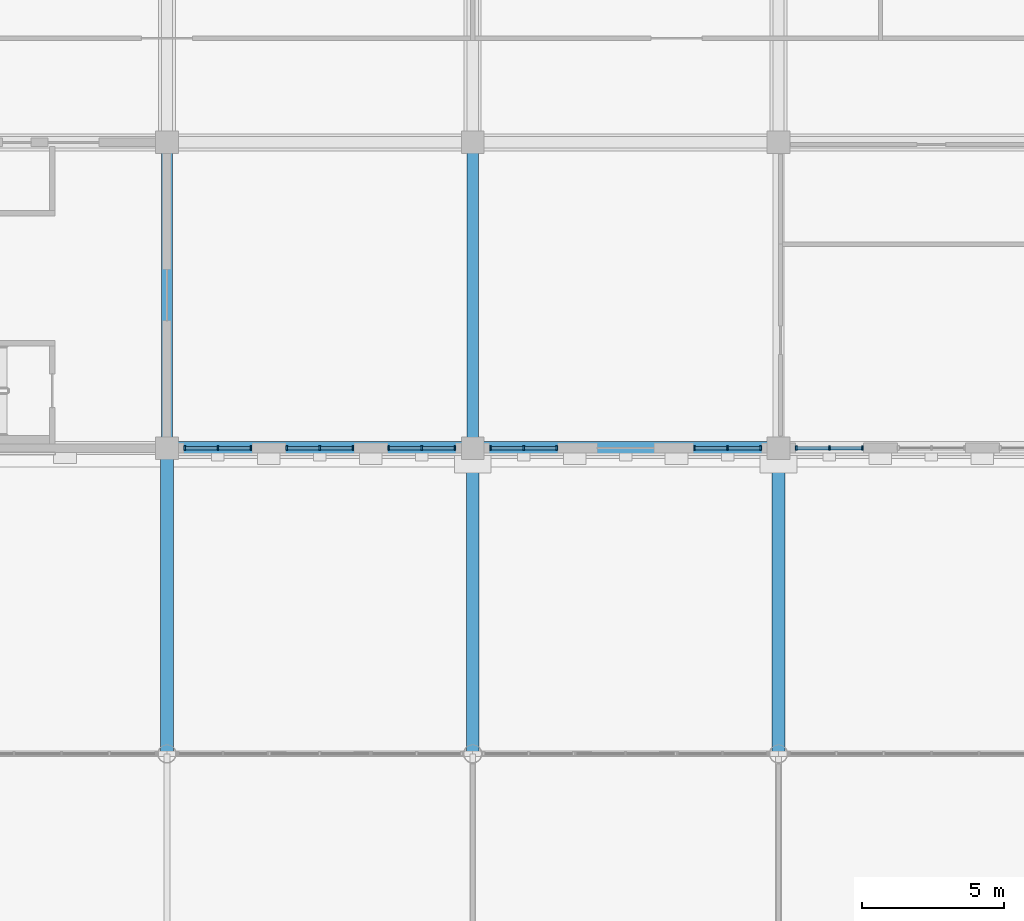
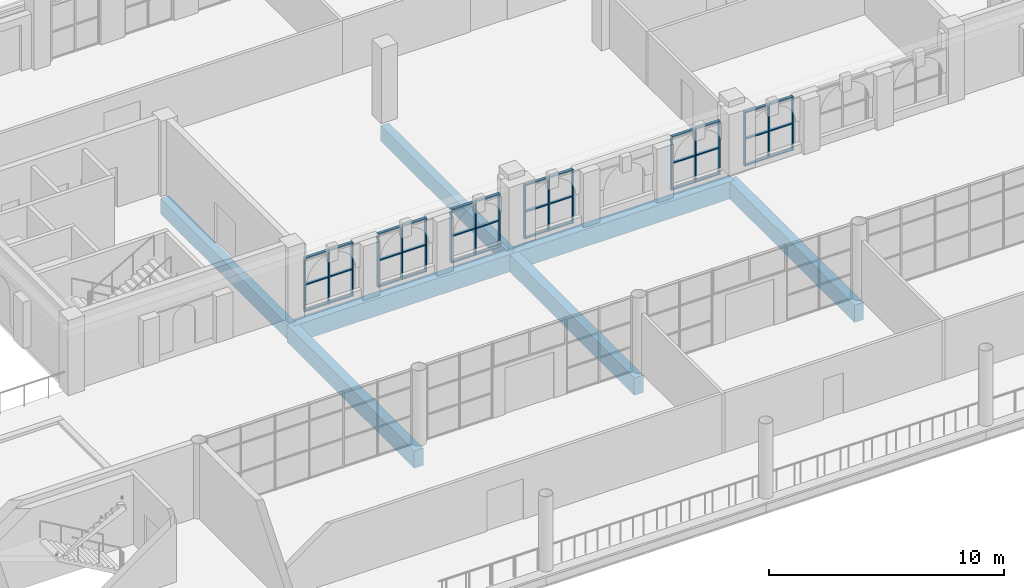
# One storey, part 27 of 95: 54 members, 7 beams, 6 elements without a shape of their own.
"""IFC4 building model written with IfcOpenShell, lengths in metres."""

from ifc_helpers import new_model, si_unit, direction, frame, origin, origin_2d, place, context, subcontext, project, spatial, rectangle, extrude, material, layer, layer_set, material_profile, profile_set, type_object, element, aggregate, save


model = new_model("IFC4")

# Units and contexts
model_context = context("Model", 3, precision=1e-05, world=origin(), true_north=direction((0.0, 1.0)))
body_context = subcontext(model_context, "Body", "Model", "MODEL_VIEW")
ifc_project = project(units=[si_unit("LENGTHUNIT", "METRE"), si_unit("AREAUNIT", "SQUARE_METRE"), si_unit("VOLUMEUNIT", "CUBIC_METRE"), si_unit("PLANEANGLEUNIT", "RADIAN"), si_unit("MASSUNIT", "GRAM", prefix="KILO")], contexts=[model_context])

# Site, building, storey
site_placement = place(None, origin())
site = spatial("IfcSite", under=ifc_project, at=site_placement, CompositionType="ELEMENT")
building_placement = place(site_placement, origin())
building = spatial("IfcBuilding", under=site, at=building_placement, Name="Magnolia Steps Interchange", CompositionType="ELEMENT")
storey_placement = place(building_placement, frame((0.0, 0.0, 4.800048828125)))
storey = spatial("IfcBuildingStorey", under=building, at=storey_placement, Name="L01", CompositionType="ELEMENT", Elevation=4.800048828125)

# Curtain wall, members
ifc_material_1 = material(Name="Powder-coated aluminium and glass", Category="aluminium")
ifc_layer = layer(ifc_material_1, 0.179931640625)
ifc_layer_set = layer_set([ifc_layer], Name="Lobby shopfront curtain wall")
curtain_wall_type = type_object("IfcCurtainWallType", Name="Lobby shopfront curtain wall", PredefinedType="NOTDEFINED", material=ifc_layer_set)
curtain_wall_1_placement = place(storey_placement, origin())
curtain_wall_1 = element("IfcCurtainWall", 1, at=curtain_wall_1_placement, inside=storey, type_object=curtain_wall_type, Name="Operations lobby south glazing 2", PredefinedType="NOTDEFINED")
ifc_material_2 = material(Name="White powder-coated aluminium", Category="aluminium")
ifc_material_profile_1 = material_profile(ifc_material_2, rectangle(XDim=0.06005859375, YDim=0.14990234375, at=origin_2d()), Name="Aluminium mullion 60 x 150")
ifc_profile_set_1 = profile_set([ifc_material_profile_1], Name="White powder-coated aluminium")
member_type_1 = type_object("IfcMemberType", Name="Aluminium mullion 60 x 150", PredefinedType="MULLION", material=ifc_profile_set_1)
member_1_placement = place(storey_placement, frame((75.429931640625, 96.39990234375, 0.0), z_axis=(0.0, 0.0, 1.0), x_axis=(1.0, 0.0, 0.0)))
member_1 = element("IfcMember", 2, at=member_1_placement, type_object=member_type_1, Name="CW5 mullion 1", PredefinedType="MULLION", context=body_context, shape_type="SweptSolid", body=[
    extrude(rectangle(XDim=0.06005859375, YDim=0.14990234375, at=origin_2d()), origin(), (0.0, 0.0, 1.0), 2.800048828125),
])
member_2_placement = place(storey_placement, frame((76.60009765625, 96.39990234375, 0.0), z_axis=(0.0, 0.0, 1.0), x_axis=(1.0, 0.0, 0.0)))
member_2 = element("IfcMember", 3, at=member_2_placement, type_object=member_type_1, Name="CW5 mullion 2", PredefinedType="MULLION", context=body_context, shape_type="SweptSolid", body=[
    extrude(rectangle(XDim=0.06005859375, YDim=0.14990234375, at=origin_2d()), origin(), (0.0, 0.0, 1.0), 2.800048828125),
])
member_3_placement = place(storey_placement, frame((77.77001953125, 96.39990234375, 0.0), z_axis=(0.0, 0.0, 1.0), x_axis=(1.0, 0.0, 0.0)))
member_3 = element("IfcMember", 4, at=member_3_placement, type_object=member_type_1, Name="CW5 mullion 3", PredefinedType="MULLION", context=body_context, shape_type="SweptSolid", body=[
    extrude(rectangle(XDim=0.06005859375, YDim=0.14990234375, at=origin_2d()), origin(), (0.0, 0.0, 1.0), 2.800048828125),
])

curtain_wall_2_placement = place(storey_placement, origin())
curtain_wall_2 = element("IfcCurtainWall", 5, at=curtain_wall_2_placement, inside=storey, type_object=curtain_wall_type, Name="Operations lobby south glazing 4", PredefinedType="NOTDEFINED")
member_4_placement = place(storey_placement, frame((79.030029296875, 96.39990234375, 0.0), z_axis=(0.0, 0.0, 1.0), x_axis=(1.0, 0.0, 0.0)))
member_4 = element("IfcMember", 6, at=member_4_placement, type_object=member_type_1, Name="CW5 mullion 1", PredefinedType="MULLION", context=body_context, shape_type="SweptSolid", body=[
    extrude(rectangle(XDim=0.06005859375, YDim=0.14990234375, at=origin_2d()), origin(), (0.0, 0.0, 1.0), 2.800048828125),
])
member_5_placement = place(storey_placement, frame((80.199951171875, 96.39990234375, 0.0), z_axis=(0.0, 0.0, 1.0), x_axis=(1.0, 0.0, 0.0)))
member_5 = element("IfcMember", 7, at=member_5_placement, type_object=member_type_1, Name="CW5 mullion 2", PredefinedType="MULLION", context=body_context, shape_type="SweptSolid", body=[
    extrude(rectangle(XDim=0.06005859375, YDim=0.14990234375, at=origin_2d()), origin(), (0.0, 0.0, 1.0), 2.800048828125),
])
member_6_placement = place(storey_placement, frame((81.3701171875, 96.39990234375, 0.0), z_axis=(0.0, 0.0, 1.0), x_axis=(1.0, 0.0, 0.0)))
member_6 = element("IfcMember", 8, at=member_6_placement, type_object=member_type_1, Name="CW5 mullion 3", PredefinedType="MULLION", context=body_context, shape_type="SweptSolid", body=[
    extrude(rectangle(XDim=0.06005859375, YDim=0.14990234375, at=origin_2d()), origin(), (0.0, 0.0, 1.0), 2.800048828125),
])

curtain_wall_3_placement = place(storey_placement, origin())
curtain_wall_3 = element("IfcCurtainWall", 9, at=curtain_wall_3_placement, inside=storey, type_object=curtain_wall_type, Name="Operations lobby south glazing 6", PredefinedType="NOTDEFINED")
member_7_placement = place(storey_placement, frame((82.6298828125, 96.39990234375, 0.0), z_axis=(0.0, 0.0, 1.0), x_axis=(1.0, 0.0, 0.0)))
member_7 = element("IfcMember", 10, at=member_7_placement, type_object=member_type_1, Name="CW5 mullion 1", PredefinedType="MULLION", context=body_context, shape_type="SweptSolid", body=[
    extrude(rectangle(XDim=0.06005859375, YDim=0.14990234375, at=origin_2d()), origin(), (0.0, 0.0, 1.0), 2.800048828125),
])
member_8_placement = place(storey_placement, frame((83.800048828125, 96.39990234375, 0.0), z_axis=(0.0, 0.0, 1.0), x_axis=(1.0, 0.0, 0.0)))
member_8 = element("IfcMember", 11, at=member_8_placement, type_object=member_type_1, Name="CW5 mullion 2", PredefinedType="MULLION", context=body_context, shape_type="SweptSolid", body=[
    extrude(rectangle(XDim=0.06005859375, YDim=0.14990234375, at=origin_2d()), origin(), (0.0, 0.0, 1.0), 2.800048828125),
])
member_9_placement = place(storey_placement, frame((84.969970703125, 96.39990234375, 0.0), z_axis=(0.0, 0.0, 1.0), x_axis=(1.0, 0.0, 0.0)))
member_9 = element("IfcMember", 12, at=member_9_placement, type_object=member_type_1, Name="CW5 mullion 3", PredefinedType="MULLION", context=body_context, shape_type="SweptSolid", body=[
    extrude(rectangle(XDim=0.06005859375, YDim=0.14990234375, at=origin_2d()), origin(), (0.0, 0.0, 1.0), 2.800048828125),
])

curtain_wall_4_placement = place(storey_placement, origin())
curtain_wall_4 = element("IfcCurtainWall", 13, at=curtain_wall_4_placement, inside=storey, type_object=curtain_wall_type, Name="Operations lobby south glazing 8", PredefinedType="NOTDEFINED")
member_10_placement = place(storey_placement, frame((86.22998046875, 96.39990234375, 0.0), z_axis=(0.0, 0.0, 1.0), x_axis=(1.0, 0.0, 0.0)))
member_10 = element("IfcMember", 14, at=member_10_placement, type_object=member_type_1, Name="CW5 mullion 1", PredefinedType="MULLION", context=body_context, shape_type="SweptSolid", body=[
    extrude(rectangle(XDim=0.06005859375, YDim=0.14990234375, at=origin_2d()), origin(), (0.0, 0.0, 1.0), 2.800048828125),
])
member_11_placement = place(storey_placement, frame((87.39990234375, 96.39990234375, 0.0), z_axis=(0.0, 0.0, 1.0), x_axis=(1.0, 0.0, 0.0)))
member_11 = element("IfcMember", 15, at=member_11_placement, type_object=member_type_1, Name="CW5 mullion 2", PredefinedType="MULLION", context=body_context, shape_type="SweptSolid", body=[
    extrude(rectangle(XDim=0.06005859375, YDim=0.14990234375, at=origin_2d()), origin(), (0.0, 0.0, 1.0), 2.800048828125),
])
member_12_placement = place(storey_placement, frame((88.570068359375, 96.39990234375, 0.0), z_axis=(0.0, 0.0, 1.0), x_axis=(1.0, 0.0, 0.0)))
member_12 = element("IfcMember", 16, at=member_12_placement, type_object=member_type_1, Name="CW5 mullion 3", PredefinedType="MULLION", context=body_context, shape_type="SweptSolid", body=[
    extrude(rectangle(XDim=0.06005859375, YDim=0.14990234375, at=origin_2d()), origin(), (0.0, 0.0, 1.0), 2.800048828125),
])

curtain_wall_5_placement = place(storey_placement, origin())
curtain_wall_5 = element("IfcCurtainWall", 17, at=curtain_wall_5_placement, inside=storey, type_object=curtain_wall_type, Name="Operations lobby south glazing 10", PredefinedType="NOTDEFINED")
member_13_placement = place(storey_placement, frame((93.429931640625, 96.39990234375, 0.0), z_axis=(0.0, 0.0, 1.0), x_axis=(1.0, 0.0, 0.0)))
member_13 = element("IfcMember", 18, at=member_13_placement, type_object=member_type_1, Name="CW5 mullion 1", PredefinedType="MULLION", context=body_context, shape_type="SweptSolid", body=[
    extrude(rectangle(XDim=0.06005859375, YDim=0.14990234375, at=origin_2d()), origin(), (0.0, 0.0, 1.0), 2.800048828125),
])
member_14_placement = place(storey_placement, frame((94.60009765625, 96.39990234375, 0.0), z_axis=(0.0, 0.0, 1.0), x_axis=(1.0, 0.0, 0.0)))
member_14 = element("IfcMember", 19, at=member_14_placement, type_object=member_type_1, Name="CW5 mullion 2", PredefinedType="MULLION", context=body_context, shape_type="SweptSolid", body=[
    extrude(rectangle(XDim=0.06005859375, YDim=0.14990234375, at=origin_2d()), origin(), (0.0, 0.0, 1.0), 2.800048828125),
])
member_15_placement = place(storey_placement, frame((95.77001953125, 96.39990234375, 0.0), z_axis=(0.0, 0.0, 1.0), x_axis=(1.0, 0.0, 0.0)))
member_15 = element("IfcMember", 20, at=member_15_placement, type_object=member_type_1, Name="CW5 mullion 3", PredefinedType="MULLION", context=body_context, shape_type="SweptSolid", body=[
    extrude(rectangle(XDim=0.06005859375, YDim=0.14990234375, at=origin_2d()), origin(), (0.0, 0.0, 1.0), 2.800048828125),
])

curtain_wall_6_placement = place(storey_placement, origin())
curtain_wall_6 = element("IfcCurtainWall", 21, at=curtain_wall_6_placement, inside=storey, type_object=curtain_wall_type, Name="Operations lobby south glazing 12", PredefinedType="NOTDEFINED")
member_16_placement = place(storey_placement, frame((97.030029296875, 96.39990234375, 0.0), z_axis=(0.0, 0.0, 1.0), x_axis=(1.0, 0.0, 0.0)))
member_16 = element("IfcMember", 22, at=member_16_placement, type_object=member_type_1, Name="CW5 mullion 1", PredefinedType="MULLION", context=body_context, shape_type="SweptSolid", body=[
    extrude(rectangle(XDim=0.06005859375, YDim=0.14990234375, at=origin_2d()), origin(), (0.0, 0.0, 1.0), 2.800048828125),
])
member_17_placement = place(storey_placement, frame((98.199951171875, 96.39990234375, 0.0), z_axis=(0.0, 0.0, 1.0), x_axis=(1.0, 0.0, 0.0)))
member_17 = element("IfcMember", 23, at=member_17_placement, type_object=member_type_1, Name="CW5 mullion 2", PredefinedType="MULLION", context=body_context, shape_type="SweptSolid", body=[
    extrude(rectangle(XDim=0.06005859375, YDim=0.14990234375, at=origin_2d()), origin(), (0.0, 0.0, 1.0), 2.800048828125),
])
member_18_placement = place(storey_placement, frame((99.3701171875, 96.39990234375, 0.0), z_axis=(0.0, 0.0, 1.0), x_axis=(1.0, 0.0, 0.0)))
member_18 = element("IfcMember", 24, at=member_18_placement, type_object=member_type_1, Name="CW5 mullion 3", PredefinedType="MULLION", context=body_context, shape_type="SweptSolid", body=[
    extrude(rectangle(XDim=0.06005859375, YDim=0.14990234375, at=origin_2d()), origin(), (0.0, 0.0, 1.0), 2.800048828125),
])

# Member
ifc_material_3 = material(Name="White powder-coated aluminium", Category="aluminium")
ifc_material_profile_2 = material_profile(ifc_material_3, rectangle(XDim=0.06005859375, YDim=0.1201171875, at=origin_2d()), Name="Aluminium transom 60 x 120")
ifc_profile_set_2 = profile_set([ifc_material_profile_2], Name="White powder-coated aluminium")
member_type_2 = type_object("IfcMemberType", Name="Aluminium transom 60 x 120", PredefinedType="USERDEFINED", material=ifc_profile_set_2)
member_19_placement = place(storey_placement, frame((75.4599609375, 96.39990234375, 0.030029296875), z_axis=(1.0, 0.0, 0.0), x_axis=(0.0, 0.0, 1.0)))
member_19 = element("IfcMember", 25, at=member_19_placement, type_object=member_type_2, Name="CW5 transom 1.1", ObjectType="TRANSOM", PredefinedType="USERDEFINED", context=body_context, shape_type="SweptSolid", body=[
    extrude(rectangle(XDim=0.06005859375, YDim=0.1201171875, at=origin_2d()), origin(), (0.0, 0.0, 1.0), 1.110107421875),
])

member_20_placement = place(storey_placement, frame((75.4599609375, 96.39990234375, 1.39990234375), z_axis=(1.0, 0.0, 0.0), x_axis=(0.0, 0.0, 1.0)))
member_20 = element("IfcMember", 26, at=member_20_placement, type_object=member_type_2, Name="CW5 transom 1.2", ObjectType="TRANSOM", PredefinedType="USERDEFINED", context=body_context, shape_type="SweptSolid", body=[
    extrude(rectangle(XDim=0.06005859375, YDim=0.1201171875, at=origin_2d()), origin(), (0.0, 0.0, 1.0), 1.110107421875),
])

member_21_placement = place(storey_placement, frame((75.4599609375, 96.39990234375, 2.77001953125), z_axis=(1.0, 0.0, 0.0), x_axis=(0.0, 0.0, 1.0)))
member_21 = element("IfcMember", 27, at=member_21_placement, type_object=member_type_2, Name="CW5 transom 1.3", ObjectType="TRANSOM", PredefinedType="USERDEFINED", context=body_context, shape_type="SweptSolid", body=[
    extrude(rectangle(XDim=0.06005859375, YDim=0.1201171875, at=origin_2d()), origin(), (0.0, 0.0, 1.0), 1.110107421875),
])

member_22_placement = place(storey_placement, frame((76.6298828125, 96.39990234375, 0.030029296875), z_axis=(1.0, 0.0, 0.0), x_axis=(0.0, 0.0, 1.0)))
member_22 = element("IfcMember", 28, at=member_22_placement, type_object=member_type_2, Name="CW5 transom 2.1", ObjectType="TRANSOM", PredefinedType="USERDEFINED", context=body_context, shape_type="SweptSolid", body=[
    extrude(rectangle(XDim=0.06005859375, YDim=0.1201171875, at=origin_2d()), origin(), (0.0, 0.0, 1.0), 1.110107421875),
])

member_23_placement = place(storey_placement, frame((76.6298828125, 96.39990234375, 1.39990234375), z_axis=(1.0, 0.0, 0.0), x_axis=(0.0, 0.0, 1.0)))
member_23 = element("IfcMember", 29, at=member_23_placement, type_object=member_type_2, Name="CW5 transom 2.2", ObjectType="TRANSOM", PredefinedType="USERDEFINED", context=body_context, shape_type="SweptSolid", body=[
    extrude(rectangle(XDim=0.06005859375, YDim=0.1201171875, at=origin_2d()), origin(), (0.0, 0.0, 1.0), 1.110107421875),
])

member_24_placement = place(storey_placement, frame((76.6298828125, 96.39990234375, 2.77001953125), z_axis=(1.0, 0.0, 0.0), x_axis=(0.0, 0.0, 1.0)))
member_24 = element("IfcMember", 30, at=member_24_placement, type_object=member_type_2, Name="CW5 transom 2.3", ObjectType="TRANSOM", PredefinedType="USERDEFINED", context=body_context, shape_type="SweptSolid", body=[
    extrude(rectangle(XDim=0.06005859375, YDim=0.1201171875, at=origin_2d()), origin(), (0.0, 0.0, 1.0), 1.110107421875),
])

aggregate(curtain_wall_1, [member_1, member_2, member_3, member_19, member_20, member_21, member_22, member_23, member_24])

member_25_placement = place(storey_placement, frame((79.06005859375, 96.39990234375, 0.030029296875), z_axis=(1.0, 0.0, 0.0), x_axis=(0.0, 0.0, 1.0)))
member_25 = element("IfcMember", 31, at=member_25_placement, type_object=member_type_2, Name="CW5 transom 1.1", ObjectType="TRANSOM", PredefinedType="USERDEFINED", context=body_context, shape_type="SweptSolid", body=[
    extrude(rectangle(XDim=0.06005859375, YDim=0.1201171875, at=origin_2d()), origin(), (0.0, 0.0, 1.0), 1.10986328125),
])

member_26_placement = place(storey_placement, frame((79.06005859375, 96.39990234375, 1.39990234375), z_axis=(1.0, 0.0, 0.0), x_axis=(0.0, 0.0, 1.0)))
member_26 = element("IfcMember", 32, at=member_26_placement, type_object=member_type_2, Name="CW5 transom 1.2", ObjectType="TRANSOM", PredefinedType="USERDEFINED", context=body_context, shape_type="SweptSolid", body=[
    extrude(rectangle(XDim=0.06005859375, YDim=0.1201171875, at=origin_2d()), origin(), (0.0, 0.0, 1.0), 1.10986328125),
])

member_27_placement = place(storey_placement, frame((79.06005859375, 96.39990234375, 2.77001953125), z_axis=(1.0, 0.0, 0.0), x_axis=(0.0, 0.0, 1.0)))
member_27 = element("IfcMember", 33, at=member_27_placement, type_object=member_type_2, Name="CW5 transom 1.3", ObjectType="TRANSOM", PredefinedType="USERDEFINED", context=body_context, shape_type="SweptSolid", body=[
    extrude(rectangle(XDim=0.06005859375, YDim=0.1201171875, at=origin_2d()), origin(), (0.0, 0.0, 1.0), 1.10986328125),
])

member_28_placement = place(storey_placement, frame((80.22998046875, 96.39990234375, 0.030029296875), z_axis=(1.0, 0.0, 0.0), x_axis=(0.0, 0.0, 1.0)))
member_28 = element("IfcMember", 34, at=member_28_placement, type_object=member_type_2, Name="CW5 transom 2.1", ObjectType="TRANSOM", PredefinedType="USERDEFINED", context=body_context, shape_type="SweptSolid", body=[
    extrude(rectangle(XDim=0.06005859375, YDim=0.1201171875, at=origin_2d()), origin(), (0.0, 0.0, 1.0), 1.110107421875),
])

member_29_placement = place(storey_placement, frame((80.22998046875, 96.39990234375, 1.39990234375), z_axis=(1.0, 0.0, 0.0), x_axis=(0.0, 0.0, 1.0)))
member_29 = element("IfcMember", 35, at=member_29_placement, type_object=member_type_2, Name="CW5 transom 2.2", ObjectType="TRANSOM", PredefinedType="USERDEFINED", context=body_context, shape_type="SweptSolid", body=[
    extrude(rectangle(XDim=0.06005859375, YDim=0.1201171875, at=origin_2d()), origin(), (0.0, 0.0, 1.0), 1.110107421875),
])

member_30_placement = place(storey_placement, frame((80.22998046875, 96.39990234375, 2.77001953125), z_axis=(1.0, 0.0, 0.0), x_axis=(0.0, 0.0, 1.0)))
member_30 = element("IfcMember", 36, at=member_30_placement, type_object=member_type_2, Name="CW5 transom 2.3", ObjectType="TRANSOM", PredefinedType="USERDEFINED", context=body_context, shape_type="SweptSolid", body=[
    extrude(rectangle(XDim=0.06005859375, YDim=0.1201171875, at=origin_2d()), origin(), (0.0, 0.0, 1.0), 1.110107421875),
])

aggregate(curtain_wall_2, [member_4, member_5, member_6, member_25, member_26, member_27, member_28, member_29, member_30])

member_31_placement = place(storey_placement, frame((82.659912109375, 96.39990234375, 0.030029296875), z_axis=(1.0, 0.0, 0.0), x_axis=(0.0, 0.0, 1.0)))
member_31 = element("IfcMember", 37, at=member_31_placement, type_object=member_type_2, Name="CW5 transom 1.1", ObjectType="TRANSOM", PredefinedType="USERDEFINED", context=body_context, shape_type="SweptSolid", body=[
    extrude(rectangle(XDim=0.06005859375, YDim=0.1201171875, at=origin_2d()), origin(), (0.0, 0.0, 1.0), 1.110107421875),
])

member_32_placement = place(storey_placement, frame((82.659912109375, 96.39990234375, 1.39990234375), z_axis=(1.0, 0.0, 0.0), x_axis=(0.0, 0.0, 1.0)))
member_32 = element("IfcMember", 38, at=member_32_placement, type_object=member_type_2, Name="CW5 transom 1.2", ObjectType="TRANSOM", PredefinedType="USERDEFINED", context=body_context, shape_type="SweptSolid", body=[
    extrude(rectangle(XDim=0.06005859375, YDim=0.1201171875, at=origin_2d()), origin(), (0.0, 0.0, 1.0), 1.110107421875),
])

member_33_placement = place(storey_placement, frame((82.659912109375, 96.39990234375, 2.77001953125), z_axis=(1.0, 0.0, 0.0), x_axis=(0.0, 0.0, 1.0)))
member_33 = element("IfcMember", 39, at=member_33_placement, type_object=member_type_2, Name="CW5 transom 1.3", ObjectType="TRANSOM", PredefinedType="USERDEFINED", context=body_context, shape_type="SweptSolid", body=[
    extrude(rectangle(XDim=0.06005859375, YDim=0.1201171875, at=origin_2d()), origin(), (0.0, 0.0, 1.0), 1.110107421875),
])

member_34_placement = place(storey_placement, frame((83.830078125, 96.39990234375, 0.030029296875), z_axis=(1.0, 0.0, 0.0), x_axis=(0.0, 0.0, 1.0)))
member_34 = element("IfcMember", 40, at=member_34_placement, type_object=member_type_2, Name="CW5 transom 2.1", ObjectType="TRANSOM", PredefinedType="USERDEFINED", context=body_context, shape_type="SweptSolid", body=[
    extrude(rectangle(XDim=0.06005859375, YDim=0.1201171875, at=origin_2d()), origin(), (0.0, 0.0, 1.0), 1.10986328125),
])

member_35_placement = place(storey_placement, frame((83.830078125, 96.39990234375, 1.39990234375), z_axis=(1.0, 0.0, 0.0), x_axis=(0.0, 0.0, 1.0)))
member_35 = element("IfcMember", 41, at=member_35_placement, type_object=member_type_2, Name="CW5 transom 2.2", ObjectType="TRANSOM", PredefinedType="USERDEFINED", context=body_context, shape_type="SweptSolid", body=[
    extrude(rectangle(XDim=0.06005859375, YDim=0.1201171875, at=origin_2d()), origin(), (0.0, 0.0, 1.0), 1.10986328125),
])

member_36_placement = place(storey_placement, frame((83.830078125, 96.39990234375, 2.77001953125), z_axis=(1.0, 0.0, 0.0), x_axis=(0.0, 0.0, 1.0)))
member_36 = element("IfcMember", 42, at=member_36_placement, type_object=member_type_2, Name="CW5 transom 2.3", ObjectType="TRANSOM", PredefinedType="USERDEFINED", context=body_context, shape_type="SweptSolid", body=[
    extrude(rectangle(XDim=0.06005859375, YDim=0.1201171875, at=origin_2d()), origin(), (0.0, 0.0, 1.0), 1.10986328125),
])

aggregate(curtain_wall_3, [member_7, member_8, member_9, member_31, member_32, member_33, member_34, member_35, member_36])

member_37_placement = place(storey_placement, frame((86.260009765625, 96.39990234375, 0.030029296875), z_axis=(1.0, 0.0, 0.0), x_axis=(0.0, 0.0, 1.0)))
member_37 = element("IfcMember", 43, at=member_37_placement, type_object=member_type_2, Name="CW5 transom 1.1", ObjectType="TRANSOM", PredefinedType="USERDEFINED", context=body_context, shape_type="SweptSolid", body=[
    extrude(rectangle(XDim=0.06005859375, YDim=0.1201171875, at=origin_2d()), origin(), (0.0, 0.0, 1.0), 1.110107421875),
])

member_38_placement = place(storey_placement, frame((86.260009765625, 96.39990234375, 1.39990234375), z_axis=(1.0, 0.0, 0.0), x_axis=(0.0, 0.0, 1.0)))
member_38 = element("IfcMember", 44, at=member_38_placement, type_object=member_type_2, Name="CW5 transom 1.2", ObjectType="TRANSOM", PredefinedType="USERDEFINED", context=body_context, shape_type="SweptSolid", body=[
    extrude(rectangle(XDim=0.06005859375, YDim=0.1201171875, at=origin_2d()), origin(), (0.0, 0.0, 1.0), 1.110107421875),
])

member_39_placement = place(storey_placement, frame((86.260009765625, 96.39990234375, 2.77001953125), z_axis=(1.0, 0.0, 0.0), x_axis=(0.0, 0.0, 1.0)))
member_39 = element("IfcMember", 45, at=member_39_placement, type_object=member_type_2, Name="CW5 transom 1.3", ObjectType="TRANSOM", PredefinedType="USERDEFINED", context=body_context, shape_type="SweptSolid", body=[
    extrude(rectangle(XDim=0.06005859375, YDim=0.1201171875, at=origin_2d()), origin(), (0.0, 0.0, 1.0), 1.110107421875),
])

member_40_placement = place(storey_placement, frame((87.429931640625, 96.39990234375, 0.030029296875), z_axis=(1.0, 0.0, 0.0), x_axis=(0.0, 0.0, 1.0)))
member_40 = element("IfcMember", 46, at=member_40_placement, type_object=member_type_2, Name="CW5 transom 2.1", ObjectType="TRANSOM", PredefinedType="USERDEFINED", context=body_context, shape_type="SweptSolid", body=[
    extrude(rectangle(XDim=0.06005859375, YDim=0.1201171875, at=origin_2d()), origin(), (0.0, 0.0, 1.0), 1.110107421875),
])

member_41_placement = place(storey_placement, frame((87.429931640625, 96.39990234375, 1.39990234375), z_axis=(1.0, 0.0, 0.0), x_axis=(0.0, 0.0, 1.0)))
member_41 = element("IfcMember", 47, at=member_41_placement, type_object=member_type_2, Name="CW5 transom 2.2", ObjectType="TRANSOM", PredefinedType="USERDEFINED", context=body_context, shape_type="SweptSolid", body=[
    extrude(rectangle(XDim=0.06005859375, YDim=0.1201171875, at=origin_2d()), origin(), (0.0, 0.0, 1.0), 1.110107421875),
])

member_42_placement = place(storey_placement, frame((87.429931640625, 96.39990234375, 2.77001953125), z_axis=(1.0, 0.0, 0.0), x_axis=(0.0, 0.0, 1.0)))
member_42 = element("IfcMember", 48, at=member_42_placement, type_object=member_type_2, Name="CW5 transom 2.3", ObjectType="TRANSOM", PredefinedType="USERDEFINED", context=body_context, shape_type="SweptSolid", body=[
    extrude(rectangle(XDim=0.06005859375, YDim=0.1201171875, at=origin_2d()), origin(), (0.0, 0.0, 1.0), 1.110107421875),
])

aggregate(curtain_wall_4, [member_10, member_11, member_12, member_37, member_38, member_39, member_40, member_41, member_42])

member_43_placement = place(storey_placement, frame((93.4599609375, 96.39990234375, 0.030029296875), z_axis=(1.0, 0.0, 0.0), x_axis=(0.0, 0.0, 1.0)))
member_43 = element("IfcMember", 49, at=member_43_placement, type_object=member_type_2, Name="CW5 transom 1.1", ObjectType="TRANSOM", PredefinedType="USERDEFINED", context=body_context, shape_type="SweptSolid", body=[
    extrude(rectangle(XDim=0.06005859375, YDim=0.1201171875, at=origin_2d()), origin(), (0.0, 0.0, 1.0), 1.110107421875),
])

member_44_placement = place(storey_placement, frame((93.4599609375, 96.39990234375, 1.39990234375), z_axis=(1.0, 0.0, 0.0), x_axis=(0.0, 0.0, 1.0)))
member_44 = element("IfcMember", 50, at=member_44_placement, type_object=member_type_2, Name="CW5 transom 1.2", ObjectType="TRANSOM", PredefinedType="USERDEFINED", context=body_context, shape_type="SweptSolid", body=[
    extrude(rectangle(XDim=0.06005859375, YDim=0.1201171875, at=origin_2d()), origin(), (0.0, 0.0, 1.0), 1.110107421875),
])

member_45_placement = place(storey_placement, frame((93.4599609375, 96.39990234375, 2.77001953125), z_axis=(1.0, 0.0, 0.0), x_axis=(0.0, 0.0, 1.0)))
member_45 = element("IfcMember", 51, at=member_45_placement, type_object=member_type_2, Name="CW5 transom 1.3", ObjectType="TRANSOM", PredefinedType="USERDEFINED", context=body_context, shape_type="SweptSolid", body=[
    extrude(rectangle(XDim=0.06005859375, YDim=0.1201171875, at=origin_2d()), origin(), (0.0, 0.0, 1.0), 1.110107421875),
])

member_46_placement = place(storey_placement, frame((94.6298828125, 96.39990234375, 0.030029296875), z_axis=(1.0, 0.0, 0.0), x_axis=(0.0, 0.0, 1.0)))
member_46 = element("IfcMember", 52, at=member_46_placement, type_object=member_type_2, Name="CW5 transom 2.1", ObjectType="TRANSOM", PredefinedType="USERDEFINED", context=body_context, shape_type="SweptSolid", body=[
    extrude(rectangle(XDim=0.06005859375, YDim=0.1201171875, at=origin_2d()), origin(), (0.0, 0.0, 1.0), 1.110107421875),
])

member_47_placement = place(storey_placement, frame((94.6298828125, 96.39990234375, 1.39990234375), z_axis=(1.0, 0.0, 0.0), x_axis=(0.0, 0.0, 1.0)))
member_47 = element("IfcMember", 53, at=member_47_placement, type_object=member_type_2, Name="CW5 transom 2.2", ObjectType="TRANSOM", PredefinedType="USERDEFINED", context=body_context, shape_type="SweptSolid", body=[
    extrude(rectangle(XDim=0.06005859375, YDim=0.1201171875, at=origin_2d()), origin(), (0.0, 0.0, 1.0), 1.110107421875),
])

member_48_placement = place(storey_placement, frame((94.6298828125, 96.39990234375, 2.77001953125), z_axis=(1.0, 0.0, 0.0), x_axis=(0.0, 0.0, 1.0)))
member_48 = element("IfcMember", 54, at=member_48_placement, type_object=member_type_2, Name="CW5 transom 2.3", ObjectType="TRANSOM", PredefinedType="USERDEFINED", context=body_context, shape_type="SweptSolid", body=[
    extrude(rectangle(XDim=0.06005859375, YDim=0.1201171875, at=origin_2d()), origin(), (0.0, 0.0, 1.0), 1.110107421875),
])

aggregate(curtain_wall_5, [member_13, member_14, member_15, member_43, member_44, member_45, member_46, member_47, member_48])

member_49_placement = place(storey_placement, frame((97.06005859375, 96.39990234375, 0.030029296875), z_axis=(1.0, 0.0, 0.0), x_axis=(0.0, 0.0, 1.0)))
member_49 = element("IfcMember", 55, at=member_49_placement, type_object=member_type_2, Name="CW5 transom 1.1", ObjectType="TRANSOM", PredefinedType="USERDEFINED", context=body_context, shape_type="SweptSolid", body=[
    extrude(rectangle(XDim=0.06005859375, YDim=0.1201171875, at=origin_2d()), origin(), (0.0, 0.0, 1.0), 1.10986328125),
])

member_50_placement = place(storey_placement, frame((97.06005859375, 96.39990234375, 1.39990234375), z_axis=(1.0, 0.0, 0.0), x_axis=(0.0, 0.0, 1.0)))
member_50 = element("IfcMember", 56, at=member_50_placement, type_object=member_type_2, Name="CW5 transom 1.2", ObjectType="TRANSOM", PredefinedType="USERDEFINED", context=body_context, shape_type="SweptSolid", body=[
    extrude(rectangle(XDim=0.06005859375, YDim=0.1201171875, at=origin_2d()), origin(), (0.0, 0.0, 1.0), 1.10986328125),
])

member_51_placement = place(storey_placement, frame((97.06005859375, 96.39990234375, 2.77001953125), z_axis=(1.0, 0.0, 0.0), x_axis=(0.0, 0.0, 1.0)))
member_51 = element("IfcMember", 57, at=member_51_placement, type_object=member_type_2, Name="CW5 transom 1.3", ObjectType="TRANSOM", PredefinedType="USERDEFINED", context=body_context, shape_type="SweptSolid", body=[
    extrude(rectangle(XDim=0.06005859375, YDim=0.1201171875, at=origin_2d()), origin(), (0.0, 0.0, 1.0), 1.10986328125),
])

member_52_placement = place(storey_placement, frame((98.22998046875, 96.39990234375, 0.030029296875), z_axis=(1.0, 0.0, 0.0), x_axis=(0.0, 0.0, 1.0)))
member_52 = element("IfcMember", 58, at=member_52_placement, type_object=member_type_2, Name="CW5 transom 2.1", ObjectType="TRANSOM", PredefinedType="USERDEFINED", context=body_context, shape_type="SweptSolid", body=[
    extrude(rectangle(XDim=0.06005859375, YDim=0.1201171875, at=origin_2d()), origin(), (0.0, 0.0, 1.0), 1.110107421875),
])

member_53_placement = place(storey_placement, frame((98.22998046875, 96.39990234375, 1.39990234375), z_axis=(1.0, 0.0, 0.0), x_axis=(0.0, 0.0, 1.0)))
member_53 = element("IfcMember", 59, at=member_53_placement, type_object=member_type_2, Name="CW5 transom 2.2", ObjectType="TRANSOM", PredefinedType="USERDEFINED", context=body_context, shape_type="SweptSolid", body=[
    extrude(rectangle(XDim=0.06005859375, YDim=0.1201171875, at=origin_2d()), origin(), (0.0, 0.0, 1.0), 1.110107421875),
])

member_54_placement = place(storey_placement, frame((98.22998046875, 96.39990234375, 2.77001953125), z_axis=(1.0, 0.0, 0.0), x_axis=(0.0, 0.0, 1.0)))
member_54 = element("IfcMember", 60, at=member_54_placement, type_object=member_type_2, Name="CW5 transom 2.3", ObjectType="TRANSOM", PredefinedType="USERDEFINED", context=body_context, shape_type="SweptSolid", body=[
    extrude(rectangle(XDim=0.06005859375, YDim=0.1201171875, at=origin_2d()), origin(), (0.0, 0.0, 1.0), 1.110107421875),
])

aggregate(curtain_wall_6, [member_16, member_17, member_18, member_49, member_50, member_51, member_52, member_53, member_54])

# Beams
ifc_material_4 = material(Name="Concrete C40", Category="concrete")
ifc_material_profile_3 = material_profile(ifc_material_4, rectangle(XDim=0.39990234375, YDim=0.800048828125, at=origin_2d()), Name="RC400x800")
ifc_profile_set_3 = profile_set([ifc_material_profile_3], Name="Concrete C40")
beam_type_1 = type_object("IfcBeamType", Name="RC beam 400x800", PredefinedType="BEAM", material=ifc_profile_set_3)
for number, where, z_axis, x_axis, name in (
    (61, (74.800048828125, 96.39990234375, -0.800048828125), (0.0, 1.0, 0.0), (-1.0, 0.0, 0.0), "Beam L01 7 I-J"),
    (62, (85.60009765625, 96.39990234375, -0.800048828125), (0.0, 1.0, 0.0), (-1.0, 0.0, 0.0), "Beam L01 8 I-J"),
):
    element("IfcBeam", number, at=place(storey_placement, frame(where, z_axis=z_axis, x_axis=x_axis)), inside=storey, type_object=beam_type_1, Name=name, PredefinedType="BEAM", context=body_context, shape_type="SweptSolid", body=[
        extrude(rectangle(XDim=0.39990234375, YDim=0.800048828125, at=origin_2d()), origin(), (0.0, 0.0, 1.0), 10.800048828125),
    ])
ifc_material_5 = material(Name="Concrete C40", Category="concrete")
ifc_material_profile_4 = material_profile(ifc_material_5, rectangle(XDim=0.449951171875, YDim=0.89990234375, at=origin_2d()), Name="RC450x900")
ifc_profile_set_4 = profile_set([ifc_material_profile_4], Name="Concrete C40")
beam_type_2 = type_object("IfcBeamType", Name="RC beam 450x900", PredefinedType="BEAM", material=ifc_profile_set_4)
beam_placement = place(storey_placement, frame((74.800048828125, 96.39990234375, -0.85009765625), z_axis=(1.0, 0.0, 0.0), x_axis=(0.0, 1.0, 0.0)))
element("IfcBeam", 63, at=beam_placement, inside=storey, type_object=beam_type_2, Name="Beam L01 I 7-8", PredefinedType="BEAM", context=body_context, shape_type="SweptSolid", body=[
    extrude(rectangle(XDim=0.449951171875, YDim=0.89990234375, at=origin_2d()), origin(), (0.0, 0.0, 1.0), 10.800048828125),
])
for number, where, z_axis, x_axis, name in (
    (64, (85.60009765625, 96.39990234375, -0.85009765625), (1.0, 0.0, 0.0), (0.0, 1.0, 0.0), "Beam L01 I 8-9"),
    (65, (74.800048828125, 85.60009765625, -0.85009765625), (0.0, 1.0, 0.0), (-1.0, 0.0, 0.0), "Beam L01 7 H-I"),
    (66, (85.60009765625, 85.60009765625, -0.85009765625), (0.0, 1.0, 0.0), (-1.0, 0.0, 0.0), "Beam L01 8 H-I"),
    (67, (96.39990234375, 85.60009765625, -0.85009765625), (0.0, 1.0, 0.0), (-1.0, 0.0, 0.0), "Beam L01 9 H-I"),
):
    element("IfcBeam", number, at=place(storey_placement, frame(where, z_axis=z_axis, x_axis=x_axis)), inside=storey, type_object=beam_type_2, Name=name, PredefinedType="BEAM", context=body_context, shape_type="SweptSolid", body=[
        extrude(rectangle(XDim=0.449951171875, YDim=0.89990234375, at=origin_2d()), origin(), (0.0, 0.0, 1.0), 10.7998046875),
    ])

save(model, "model.ifc")
